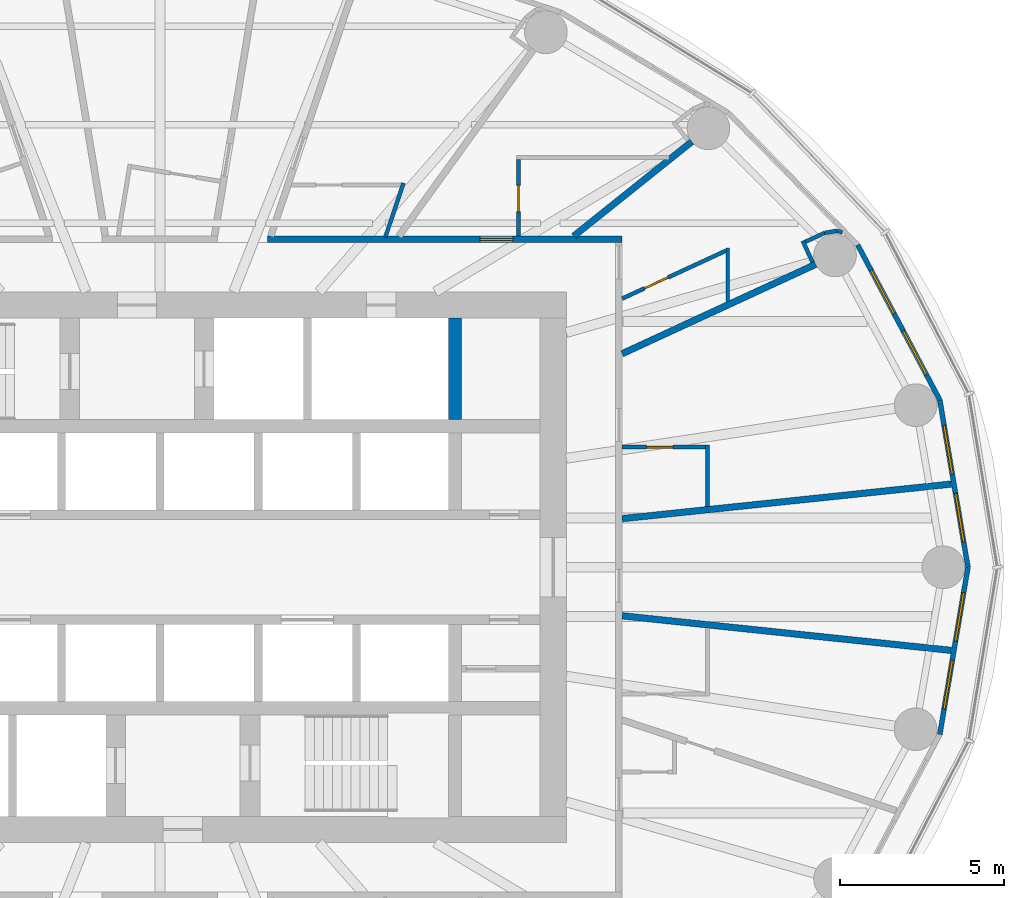
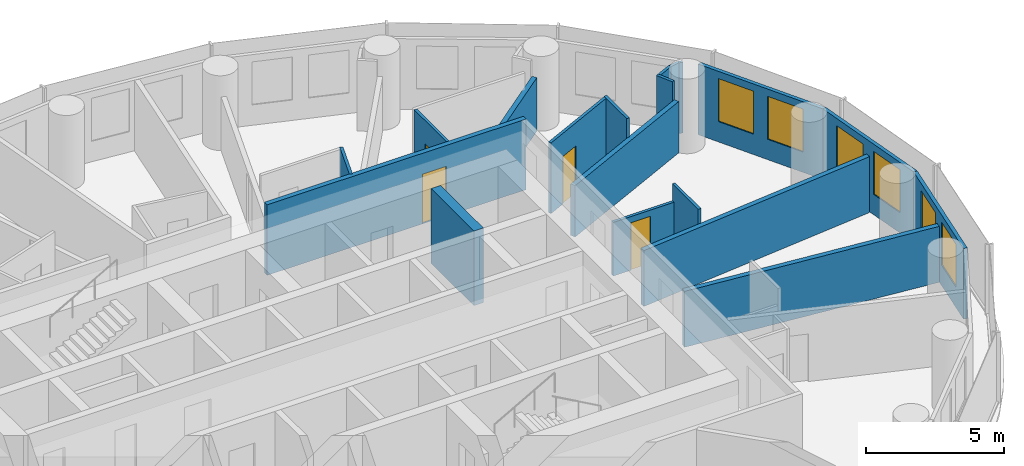
# One storey, part 10 of 13: 19 walls, 6 windows, 4 doors, 10 openings.
"""IFC4 building model written with IfcOpenShell, lengths in metres."""

import ifcopenshell
import ifcopenshell.guid

model = None  # the IFC model being written
_history = None  # IfcOwnerHistory: only IFC2X3 demands one
_inside = {}  # id of a spatial element -> (the spatial element, [elements in it])
_under = {}  # id of a project, library or spatial element -> (it, [spatial elements below it])
_declared = {}  # id of a project -> (the project, [libraries it declares])
_typed = {}  # id of a type object -> (the type object, [elements of that type])
_made_of = {}  # id of a material, layer set ... -> (it, [elements and type objects made of it])


def new_model(schema):
    """Start an empty IFC model of exactly this schema.

    Asked for "IFC4X3", IfcOpenShell would pick the latest addendum, in which some entities
    have other attributes; the version numbers below select the first issue.
    IFC2X3 requires an IfcOwnerHistory on every rooted entity: one is made here for all.
    """
    global model, _history
    if schema == "IFC4X3":
        model = ifcopenshell.file(schema_version=(4, 3, 0, 0))
    else:
        model = ifcopenshell.file(schema=schema)
    _inside.clear()
    _under.clear()
    _declared.clear()
    _typed.clear()
    _made_of.clear()
    _history = None
    if model.schema == "IFC2X3":
        org = make("IfcOrganization", Name="unknown")
        user = make(
            "IfcPersonAndOrganization",
            ThePerson=make("IfcPerson", FamilyName="unknown"),
            TheOrganization=org,
        )
        app = make(
            "IfcApplication",
            ApplicationDeveloper=org,
            Version="unknown",
            ApplicationFullName="unknown",
            ApplicationIdentifier="unknown",
        )
        _history = make(
            "IfcOwnerHistory",
            OwningUser=user,
            OwningApplication=app,
            ChangeAction="ADDED",
            CreationDate=0,
        )
    return model


def make(cls, **values):
    """One entity of the class cls with the attributes given. An attribute that is None is left unset."""
    return model.create_entity(
        cls, **{name: value for name, value in values.items() if value is not None}
    )


def rooted(cls, **values):
    """An entity with a GlobalId (a new one), such as an element, a storey or a relation."""
    return make(cls, GlobalId=ifcopenshell.guid.new(), OwnerHistory=_history, **values)


def si_unit(unit_type, name, prefix=None):
    """IfcSIUnit, for example si_unit("LENGTHUNIT", "METRE", prefix="MILLI")."""
    return make("IfcSIUnit", UnitType=unit_type, Prefix=prefix, Name=name)


def assignment(units):
    """IfcUnitAssignment: the units of a project."""
    return None if units is None else make("IfcUnitAssignment", Units=units)


def point(xyz):
    """IfcCartesianPoint."""
    return None if xyz is None else make("IfcCartesianPoint", Coordinates=xyz)


def direction(xyz):
    """IfcDirection."""
    return None if xyz is None else make("IfcDirection", DirectionRatios=xyz)


def frame(location, z_axis=None, x_axis=None):
    """IfcAxis2Placement3D, a coordinate frame: its origin and axes. An axis left out is left unset."""
    return make(
        "IfcAxis2Placement3D",
        Location=point(location),
        Axis=direction(z_axis),
        RefDirection=direction(x_axis),
    )


def frame_2d(location, x_axis=None):
    """IfcAxis2Placement2D, a coordinate frame in the plane: its origin and x axis."""
    return make(
        "IfcAxis2Placement2D", Location=point(location), RefDirection=direction(x_axis)
    )


def origin():
    """The frame at (0, 0, 0) with its axes left unset."""
    return frame((0.0, 0.0, 0.0))


def place(relative_to, where):
    """IfcLocalPlacement: puts the frame where relative to a parent placement (None: the world)."""
    return make(
        "IfcLocalPlacement", PlacementRelTo=relative_to, RelativePlacement=where
    )


def context(
    kind, dimensions, precision=None, world=None, true_north=None, identifier=None
):
    """IfcGeometricRepresentationContext, for example the 3D "Model" context."""
    return make(
        "IfcGeometricRepresentationContext",
        ContextIdentifier=identifier,
        ContextType=kind,
        CoordinateSpaceDimension=dimensions,
        Precision=precision,
        WorldCoordinateSystem=world,
        TrueNorth=true_north,
    )


def subcontext(parent, identifier, kind, view, scale=None):
    """IfcGeometricRepresentationSubContext, for example "Body" below "Model"."""
    return make(
        "IfcGeometricRepresentationSubContext",
        ContextIdentifier=identifier,
        ContextType=kind,
        ParentContext=parent,
        TargetScale=scale,
        TargetView=view,
    )


def project(units=None, contexts=None):
    """IfcProject with its units and contexts."""
    return rooted(
        "IfcProject",
        Name="project",
        RepresentationContexts=contexts,
        UnitsInContext=assignment(units),
    )


def spatial(cls, under=None, at=None, **own):
    """A site, building, storey or space (cls), placed at a placement, below another one or the project."""
    s = rooted(cls, ObjectPlacement=at, **own)
    if under is not None:
        _under.setdefault(under.id(), (under, []))[1].append(s)
    return s


def profile(cls, at=None, kind="AREA", **sizes):
    """A parametric profile (cls). Its sizes go by their IFC names, for example OverallWidth=200.0."""
    return make(cls, ProfileType=kind, Position=at, **sizes)


def rectangle(**sizes):
    """IfcRectangleProfileDef."""
    return profile("IfcRectangleProfileDef", **sizes)


def extrude(swept, where, along, depth):
    """IfcExtrudedAreaSolid: the profile swept, set in the frame where, extruded along a direction by depth."""
    return make(
        "IfcExtrudedAreaSolid",
        SweptArea=swept,
        Position=where,
        ExtrudedDirection=direction(along),
        Depth=depth,
    )


def shape(context_of_items, identifier, shape_type, items):
    """IfcShapeRepresentation: the items that make up one representation, for example the "Body"."""
    return make(
        "IfcShapeRepresentation",
        ContextOfItems=context_of_items,
        RepresentationIdentifier=identifier,
        RepresentationType=shape_type,
        Items=items,
    )


def material(Name=None, Category=None):
    """IfcMaterial."""
    return make("IfcMaterial", Name=Name, Category=Category)


def layer(
    of_material, thickness, ventilated=None, Name=None, Category=None, Priority=None
):
    """IfcMaterialLayer: one layer of a wall or slab, of a material (None: an air gap)."""
    return make(
        "IfcMaterialLayer",
        Material=of_material,
        LayerThickness=thickness,
        IsVentilated=ventilated,
        Name=Name,
        Category=Category,
        Priority=Priority,
    )


def layer_set(layers, Name=None):
    """IfcMaterialLayerSet."""
    return make("IfcMaterialLayerSet", MaterialLayers=layers, LayerSetName=Name)


def made_of(thing, what):
    """Note that an element or type object is made of a material, layer set ...; save() writes the relation."""
    if what is not None:
        _made_of.setdefault(what.id(), (what, []))[1].append(thing)
    return thing


def type_object(cls, material=None, **own):
    """A type object (cls), such as IfcWallType, which elements share."""
    return made_of(rooted(cls, **own), material)


def element(
    cls,
    number,
    at=None,
    inside=None,
    cuts=None,
    type_object=None,
    material=None,
    context=None,
    identifier="Body",
    shape_type=None,
    held_by="IfcProductDefinitionShape",
    body=None,
    shapes=None,
    **own,
):
    """One element of the class cls, such as IfcWall. Its Tag is "e" and its number.

    at: its placement. inside: the storey or other place that contains it. cuts: it is an
    opening in that element (IfcRelVoidsElement). A single representation is given by context,
    identifier, shape_type and body (its items); several are given by shapes. held_by: the class
    of the entity that holds the representations. save() writes the other relations.
    """
    e = rooted(cls, Tag="e%d" % number, ObjectPlacement=at, **own)
    if body is not None:
        shapes = [shape(context, identifier, shape_type, body)]
    if shapes is not None:
        e.Representation = make(held_by, Representations=shapes)
    if inside is not None:
        _inside.setdefault(inside.id(), (inside, []))[1].append(e)
    if cuts is not None:
        rooted(
            "IfcRelVoidsElement", RelatingBuildingElement=cuts, RelatedOpeningElement=e
        )
    if type_object is not None:
        _typed.setdefault(type_object.id(), (type_object, []))[1].append(e)
    return made_of(e, material)


def fill(opening, filler):
    """IfcRelFillsElement: the door or window that sits in an opening."""
    return rooted(
        "IfcRelFillsElement",
        RelatingOpeningElement=opening,
        RelatedBuildingElement=filler,
    )


def aggregate(whole, parts):
    """IfcRelAggregates: a whole, such as a stair, and the parts it consists of."""
    return rooted("IfcRelAggregates", RelatingObject=whole, RelatedObjects=parts)


def save(model, path):
    """Write the relations noted so far, then the file.

    IfcRelAggregates (storeys below a building ...), IfcRelContainedInSpatialStructure (elements
    in a storey), IfcRelDefinesByType, IfcRelAssociatesMaterial and IfcRelDeclares: one each for
    every whole, place, type object, material and project.
    """
    for whole, parts in _under.values():
        aggregate(whole, parts)
    for where, things in _inside.values():
        rooted(
            "IfcRelContainedInSpatialStructure",
            RelatedElements=things,
            RelatingStructure=where,
        )
    for kind, things in _typed.values():
        rooted("IfcRelDefinesByType", RelatedObjects=things, RelatingType=kind)
    for what, things in _made_of.values():
        rooted("IfcRelAssociatesMaterial", RelatedObjects=things, RelatingMaterial=what)
    for by, libraries in _declared.values():
        rooted("IfcRelDeclares", RelatingContext=by, RelatedDefinitions=libraries)
    model.write(path)


model = new_model("IFC4")

# Units and contexts
model_context = context("Model", 3, precision=1e-05, world=origin(), true_north=direction((0.0, 1.0)))
body_context = subcontext(model_context, "Body", "Model", "MODEL_VIEW")
ifc_project = project(units=[si_unit("LENGTHUNIT", "METRE"), si_unit("AREAUNIT", "SQUARE_METRE"), si_unit("VOLUMEUNIT", "CUBIC_METRE"), si_unit("PLANEANGLEUNIT", "RADIAN"), si_unit("MASSUNIT", "GRAM", prefix="KILO")], contexts=[model_context])

# Site, building, storey
site_placement = place(None, origin())
site = spatial("IfcSite", under=ifc_project, at=site_placement, CompositionType="ELEMENT")
building_placement = place(site_placement, origin())
building = spatial("IfcBuilding", under=site, at=building_placement, Name="Hankou Lantern Tower", CompositionType="ELEMENT")
storey_placement = place(building_placement, frame((0.0, 0.0, 122.10009765625)))
storey = spatial("IfcBuildingStorey", under=building, at=storey_placement, Name="L31", CompositionType="ELEMENT", Elevation=122.10009765625)

# Wall
ifc_material_1 = material(Name="Concrete C60", Category="concrete")
ifc_layer_1 = layer(ifc_material_1, 0.39990234375)
ifc_layer_set_1 = layer_set([ifc_layer_1], Name="Concrete C60")
wall_type_1 = type_object("IfcWallType", Name="CW4 CORE CROSS WALL 400", PredefinedType="SHEAR", material=ifc_layer_set_1)
wall_1_placement = place(storey_placement, frame((9.0, 4.5, 0.0), z_axis=(0.0, 0.0, 1.0), x_axis=(0.0, 1.0, 0.0)))
element("IfcWall", 1, at=wall_1_placement, inside=storey, type_object=wall_type_1, Name="Core strip wall L31", PredefinedType="SHEAR", context=body_context, shape_type="SweptSolid", body=[
    extrude(rectangle(XDim=3.10009765625, YDim=0.39990234375, at=frame_2d((1.550048828125, 0.0))), origin(), (0.0, 0.0, 1.0), 3.2998046875),
])

# Wall, openings, windows
ifc_material_2 = material(Name="Aluminium spandrel panel on steel studs", Category="steel")
ifc_layer_2 = layer(ifc_material_2, 0.14990234375)
ifc_layer_set_2 = layer_set([ifc_layer_2], Name="Aluminium spandrel panel on steel studs")
wall_type_2 = type_object("IfcWallType", Name="EW1 INNER SKIN WALL 150", PredefinedType="ELEMENTEDWALL", material=ifc_layer_set_2)
wall_2_placement = place(storey_placement, frame((24.64990234375, 0.0, 0.0), z_axis=(0.0, 0.0, 1.0), x_axis=(-0.165883894218, 0.986145290329, 0.0)))
wall_2 = element("IfcWall", 2, at=wall_2_placement, inside=storey, type_object=wall_type_2, Name="Inner skin R01-R02 L31", PredefinedType="ELEMENTEDWALL", context=body_context, shape_type="SweptSolid", body=[
    extrude(rectangle(XDim=5.171630859375, YDim=0.14990234375, at=frame_2d((2.5859375, 0.0))), origin(), (0.0, 0.0, 1.0), 3.119873046875),
])
opening_1_placement = place(wall_2_placement, frame((0.785888671875, 0.0, 0.89990234375)))
opening_1 = element("IfcOpeningElement", 3, at=opening_1_placement, cuts=wall_2, Name="Opening W2", PredefinedType="OPENING", context=body_context, shape_type="SweptSolid", body=[
    extrude(rectangle(XDim=1.5, YDim=1.89990234375, at=frame_2d((0.75, 0.949951171875))), frame((0.0, 0.0849609375, 0.0), z_axis=(0.0, -1.0, 0.0), x_axis=(1.0, 0.0, 0.0)), (0.0, 0.0, 1.0), 0.169921875),
])
opening_2_placement = place(wall_2_placement, frame((2.8857421875, 0.0, 0.89990234375)))
opening_2 = element("IfcOpeningElement", 4, at=opening_2_placement, cuts=wall_2, Name="Opening W2", PredefinedType="OPENING", context=body_context, shape_type="SweptSolid", body=[
    extrude(rectangle(XDim=1.5, YDim=1.89990234375, at=frame_2d((0.75, 0.949951171875))), frame((0.0, 0.0849609375, 0.0), z_axis=(0.0, -1.0, 0.0), x_axis=(1.0, 0.0, 0.0)), (0.0, 0.0, 1.0), 0.169921875),
])
ifc_material_3 = material(Name="Aluminium framed double glazed window", Category="aluminium")
window_type = type_object("IfcWindowType", Name="W2 GUEST ROOM WINDOW 1500X1900", PartitioningType="DOUBLE_PANEL_VERTICAL", PredefinedType="WINDOW", material=ifc_material_3)
window_1_placement = place(opening_1_placement, origin())
window_1 = element("IfcWindow", 5, at=window_1_placement, inside=storey, type_object=window_type, Name="Window R01.1 L31", OverallHeight=1.89990234375, OverallWidth=1.5, PartitioningType="SINGLE_PANEL", PredefinedType="WINDOW", context=body_context, shape_type="SweptSolid", body=[
    extrude(rectangle(XDim=1.5, YDim=1.89990234375, at=frame_2d((0.75, 0.949951171875))), frame((0.0, 0.030029296875, 0.0), z_axis=(0.0, -1.0, 0.0), x_axis=(1.0, 0.0, 0.0)), (0.0, 0.0, 1.0), 0.06005859375),
])
fill(opening_1, window_1)
window_2_placement = place(opening_2_placement, origin())
window_2 = element("IfcWindow", 6, at=window_2_placement, inside=storey, type_object=window_type, Name="Window R01.2 L31", OverallHeight=1.89990234375, OverallWidth=1.5, PartitioningType="SINGLE_PANEL", PredefinedType="WINDOW", context=body_context, shape_type="SweptSolid", body=[
    extrude(rectangle(XDim=1.5, YDim=1.89990234375, at=frame_2d((0.75, 0.949951171875))), frame((0.0, 0.030029296875, 0.0), z_axis=(0.0, -1.0, 0.0), x_axis=(1.0, 0.0, 0.0)), (0.0, 0.0, 1.0), 0.06005859375),
])
fill(opening_2, window_2)

wall_3_placement = place(storey_placement, frame((23.7919921875, 5.10009765625, 0.0), z_axis=(0.0, 0.0, 1.0), x_axis=(-0.467814388454, 0.883826735257, 0.0)))
wall_3 = element("IfcWall", 7, at=wall_3_placement, inside=storey, type_object=wall_type_2, Name="Inner skin R02-R03 L31", PredefinedType="ELEMENTEDWALL", context=body_context, shape_type="SweptSolid", body=[
    extrude(rectangle(XDim=5.35400390625, YDim=0.14990234375, at=frame_2d((2.677001953125, 0.0))), origin(), (0.0, 0.0, 1.0), 3.119873046875),
])
opening_3_placement = place(wall_3_placement, frame((0.876953125, 0.0, 0.89990234375)))
opening_3 = element("IfcOpeningElement", 8, at=opening_3_placement, cuts=wall_3, Name="Opening W2", PredefinedType="OPENING", context=body_context, shape_type="SweptSolid", body=[
    extrude(rectangle(XDim=1.5, YDim=1.89990234375, at=frame_2d((0.75, 0.949951171875))), frame((0.0, 0.0849609375, 0.0), z_axis=(0.0, -1.0, 0.0), x_axis=(1.0, 0.0, 0.0)), (0.0, 0.0, 1.0), 0.169921875),
])
opening_4_placement = place(wall_3_placement, frame((2.97705078125, 0.0, 0.89990234375)))
opening_4 = element("IfcOpeningElement", 9, at=opening_4_placement, cuts=wall_3, Name="Opening W2", PredefinedType="OPENING", context=body_context, shape_type="SweptSolid", body=[
    extrude(rectangle(XDim=1.5, YDim=1.89990234375, at=frame_2d((0.75, 0.949951171875))), frame((0.0, 0.0849609375, 0.0), z_axis=(0.0, -1.0, 0.0), x_axis=(1.0, 0.0, 0.0)), (0.0, 0.0, 1.0), 0.169921875),
])
window_3_placement = place(opening_3_placement, origin())
window_3 = element("IfcWindow", 10, at=window_3_placement, inside=storey, type_object=window_type, Name="Window R02.1 L31", OverallHeight=1.89990234375, OverallWidth=1.5, PartitioningType="SINGLE_PANEL", PredefinedType="WINDOW", context=body_context, shape_type="SweptSolid", body=[
    extrude(rectangle(XDim=1.5, YDim=1.89990234375, at=frame_2d((0.75, 0.949951171875))), frame((0.0, 0.030029296875, 0.0), z_axis=(0.0, -1.0, 0.0), x_axis=(1.0, 0.0, 0.0)), (0.0, 0.0, 1.0), 0.06005859375),
])
fill(opening_3, window_3)
window_4_placement = place(opening_4_placement, origin())
window_4 = element("IfcWindow", 11, at=window_4_placement, inside=storey, type_object=window_type, Name="Window R02.2 L31", OverallHeight=1.89990234375, OverallWidth=1.5, PartitioningType="SINGLE_PANEL", PredefinedType="WINDOW", context=body_context, shape_type="SweptSolid", body=[
    extrude(rectangle(XDim=1.5, YDim=1.89990234375, at=frame_2d((0.75, 0.949951171875))), frame((0.0, 0.030029296875, 0.0), z_axis=(0.0, -1.0, 0.0), x_axis=(1.0, 0.0, 0.0)), (0.0, 0.0, 1.0), 0.06005859375),
])
fill(opening_4, window_4)

wall_4_placement = place(storey_placement, frame((23.7919921875, -5.10009765625, 0.0), z_axis=(0.0, 0.0, 1.0), x_axis=(0.165883894218, 0.986145290329, 0.0)))
wall_4 = element("IfcWall", 12, at=wall_4_placement, inside=storey, type_object=wall_type_2, Name="Inner skin R24-R01 L31", PredefinedType="ELEMENTEDWALL", context=body_context, shape_type="SweptSolid", body=[
    extrude(rectangle(XDim=5.171630859375, YDim=0.14990234375, at=frame_2d((2.5859375, 0.0))), origin(), (0.0, 0.0, 1.0), 3.119873046875),
])
opening_5_placement = place(wall_4_placement, frame((0.785888671875, 0.0, 0.89990234375)))
opening_5 = element("IfcOpeningElement", 13, at=opening_5_placement, cuts=wall_4, Name="Opening W2", PredefinedType="OPENING", context=body_context, shape_type="SweptSolid", body=[
    extrude(rectangle(XDim=1.5, YDim=1.89990234375, at=frame_2d((0.75, 0.949951171875))), frame((0.0, 0.0849609375, 0.0), z_axis=(0.0, -1.0, 0.0), x_axis=(1.0, 0.0, 0.0)), (0.0, 0.0, 1.0), 0.169921875),
])
opening_6_placement = place(wall_4_placement, frame((2.8857421875, 0.0, 0.89990234375)))
opening_6 = element("IfcOpeningElement", 14, at=opening_6_placement, cuts=wall_4, Name="Opening W2", PredefinedType="OPENING", context=body_context, shape_type="SweptSolid", body=[
    extrude(rectangle(XDim=1.5, YDim=1.89990234375, at=frame_2d((0.75, 0.949951171875))), frame((0.0, 0.0849609375, 0.0), z_axis=(0.0, -1.0, 0.0), x_axis=(1.0, 0.0, 0.0)), (0.0, 0.0, 1.0), 0.169921875),
])
window_5_placement = place(opening_5_placement, origin())
window_5 = element("IfcWindow", 15, at=window_5_placement, inside=storey, type_object=window_type, Name="Window R24.1 L31", OverallHeight=1.89990234375, OverallWidth=1.5, PartitioningType="SINGLE_PANEL", PredefinedType="WINDOW", context=body_context, shape_type="SweptSolid", body=[
    extrude(rectangle(XDim=1.5, YDim=1.89990234375, at=frame_2d((0.75, 0.949951171875))), frame((0.0, 0.030029296875, 0.0), z_axis=(0.0, -1.0, 0.0), x_axis=(1.0, 0.0, 0.0)), (0.0, 0.0, 1.0), 0.06005859375),
])
fill(opening_5, window_5)
window_6_placement = place(opening_6_placement, origin())
window_6 = element("IfcWindow", 16, at=window_6_placement, inside=storey, type_object=window_type, Name="Window R24.2 L31", OverallHeight=1.89990234375, OverallWidth=1.5, PartitioningType="SINGLE_PANEL", PredefinedType="WINDOW", context=body_context, shape_type="SweptSolid", body=[
    extrude(rectangle(XDim=1.5, YDim=1.89990234375, at=frame_2d((0.75, 0.949951171875))), frame((0.0, 0.030029296875, 0.0), z_axis=(0.0, -1.0, 0.0), x_axis=(1.0, 0.0, 0.0)), (0.0, 0.0, 1.0), 0.06005859375),
])
fill(opening_6, window_6)

# Walls
ifc_material_4 = material(Name="Masonry lightweight concrete block", Category="masonry")
ifc_layer_3 = layer(ifc_material_4, 0.199951171875)
ifc_layer_set_3 = layer_set([ifc_layer_3], Name="Masonry lightweight concrete block")
wall_type_3 = type_object("IfcWallType", Name="IW1 GUEST ROOM PARTY WALL 200", PredefinedType="PARTITIONING", material=ifc_layer_set_3)
wall_5_placement = place(storey_placement, frame((14.10009765625, 6.512451171875, 0.0), z_axis=(0.0, 0.0, 1.0), x_axis=(0.907833019998, 0.419331858797, 0.0)))
element("IfcWall", 17, at=wall_5_placement, inside=storey, type_object=wall_type_3, Name="Party wall R03", PredefinedType="PARTITIONING", context=body_context, shape_type="SweptSolid", body=[
    extrude(rectangle(XDim=6.505126953125, YDim=0.199951171875, at=frame_2d((3.25244140625, 0.0))), origin(), (0.0, 0.0, 1.0), 2.27001953125),
])
wall_6_placement = place(storey_placement, frame((12.625, 10.10009765625, 0.0), z_axis=(0.0, 0.0, 1.0), x_axis=(0.780863644897, 0.624701503182, 0.0)))
element("IfcWall", 18, at=wall_6_placement, inside=storey, type_object=wall_type_3, Name="Party wall R04", PredefinedType="PARTITIONING", context=body_context, shape_type="SweptSolid", body=[
    extrude(rectangle(XDim=4.612060546875, YDim=0.199951171875, at=frame_2d((2.30615234375, 0.0))), origin(), (0.0, 0.0, 1.0), 2.369873046875),
])

# Wall, opening, door
ifc_material_5 = material(Name="Masonry lightweight concrete block", Category="masonry")
ifc_layer_4 = layer(ifc_material_5, 0.199951171875)
ifc_layer_set_4 = layer_set([ifc_layer_4], Name="Masonry lightweight concrete block")
wall_type_4 = type_object("IfcWallType", Name="IW2 CORRIDOR WALL 200", PredefinedType="PARTITIONING", material=ifc_layer_set_4)
wall_7_placement = place(storey_placement, frame((3.282958984375, 10.0, 0.0), z_axis=(0.0, 0.0, 1.0), x_axis=(1.0, 0.0, 0.0)))
wall_7 = element("IfcWall", 19, at=wall_7_placement, inside=storey, type_object=wall_type_4, Name="Corridor wall north", PredefinedType="PARTITIONING", context=body_context, shape_type="SweptSolid", body=[
    extrude(rectangle(XDim=10.817138671875, YDim=0.199951171875, at=frame_2d((5.40869140625, 0.0))), origin(), (0.0, 0.0, 1.0), 3.119873046875),
])
opening_7_placement = place(wall_7_placement, frame((6.482177734375, 0.0, 0.0)))
opening_7 = element("IfcOpeningElement", 20, at=opening_7_placement, cuts=wall_7, Name="Opening D1", PredefinedType="OPENING", context=body_context, shape_type="SweptSolid", body=[
    extrude(rectangle(XDim=1.0, YDim=2.199951171875, at=frame_2d((0.5, 1.10009765625))), frame((0.0, 0.10986328125, 0.0), z_axis=(0.0, -1.0, 0.0), x_axis=(1.0, 0.0, 0.0)), (0.0, 0.0, 1.0), 0.219970703125),
])
ifc_material_6 = material(Name="Steel door leaf", Category="steel")
door_type_1 = type_object("IfcDoorType", Name="D1 GUEST ROOM DOOR 1000X2200", OperationType="SINGLE_SWING_LEFT", PredefinedType="DOOR", material=ifc_material_6)
door_1_placement = place(opening_7_placement, origin())
door_1 = element("IfcDoor", 21, at=door_1_placement, inside=storey, type_object=door_type_1, Name="Guest room door 3119", OperationType="SINGLE_SWING_RIGHT", OverallHeight=2.199951171875, OverallWidth=1.0, PredefinedType="DOOR", context=body_context, shape_type="SweptSolid", body=[
    extrude(rectangle(XDim=1.0, YDim=2.199951171875, at=frame_2d((0.5, 1.10009765625))), frame((0.0, 0.02490234375, 0.0), z_axis=(0.0, -1.0, 0.0), x_axis=(1.0, 0.0, 0.0)), (0.0, 0.0, 1.0), 0.050048828125),
])
fill(opening_7, door_1)

# Wall
ifc_material_7 = material(Name="Masonry lightweight concrete block", Category="masonry")
ifc_layer_5 = layer(ifc_material_7, 0.1201171875)
ifc_layer_set_5 = layer_set([ifc_layer_5], Name="Masonry lightweight concrete block")
wall_type_5 = type_object("IfcWallType", Name="IW3 BATHROOM WALL 120", PredefinedType="PARTITIONING", material=ifc_layer_set_5)
wall_8_placement = place(storey_placement, frame((16.699951171875, 1.85498046875, 0.0), z_axis=(0.0, 0.0, 1.0), x_axis=(0.0, 1.0, 0.0)))
element("IfcWall", 22, at=wall_8_placement, inside=storey, type_object=wall_type_5, Name="Box wall 3117 1", PredefinedType="PARTITIONING", context=body_context, shape_type="SweptSolid", body=[
    extrude(rectangle(XDim=1.86669921875, YDim=0.1201171875, at=frame_2d((0.933349609375, 0.0))), origin(), (0.0, 0.0, 1.0), 3.119873046875),
])

# Wall, opening, door
wall_9_placement = place(storey_placement, frame((14.10009765625, 3.661865234375, 0.0), z_axis=(0.0, 0.0, 1.0), x_axis=(1.0, 0.0, 0.0)))
wall_9 = element("IfcWall", 23, at=wall_9_placement, inside=storey, type_object=wall_type_5, Name="Box wall 3117 1", PredefinedType="PARTITIONING", context=body_context, shape_type="SweptSolid", body=[
    extrude(rectangle(XDim=2.539794921875, YDim=0.1201171875, at=frame_2d((1.27001953125, 0.0))), origin(), (0.0, 0.0, 1.0), 2.369873046875),
])
opening_8_placement = place(wall_9_placement, frame((0.75, 0.0, 0.0)))
opening_8 = element("IfcOpeningElement", 24, at=opening_8_placement, cuts=wall_9, Name="Opening D3", PredefinedType="OPENING", context=body_context, shape_type="SweptSolid", body=[
    extrude(rectangle(XDim=0.800048828125, YDim=2.10009765625, at=frame_2d((0.39990234375, 1.050048828125))), frame((0.0, 0.070068359375, 0.0), z_axis=(0.0, -1.0, 0.0), x_axis=(1.0, 0.0, 0.0)), (0.0, 0.0, 1.0), 0.14013671875),
])
ifc_material_8 = material(Name="Timber door leaf", Category="wood")
door_type_2 = type_object("IfcDoorType", Name="D3 BATHROOM DOOR 800X2100", OperationType="SINGLE_SWING_LEFT", PredefinedType="DOOR", material=ifc_material_8)
door_2_placement = place(opening_8_placement, origin())
door_2 = element("IfcDoor", 25, at=door_2_placement, inside=storey, type_object=door_type_2, Name="En-suite bathroom 3117 door", OperationType="SINGLE_SWING_LEFT", OverallHeight=2.10009765625, OverallWidth=0.800048828125, PredefinedType="DOOR", context=body_context, shape_type="SweptSolid", body=[
    extrude(rectangle(XDim=0.800048828125, YDim=2.10009765625, at=frame_2d((0.39990234375, 1.050048828125))), frame((0.0, 0.02490234375, 0.0), z_axis=(0.0, -1.0, 0.0), x_axis=(1.0, 0.0, 0.0)), (0.0, 0.0, 1.0), 0.050048828125),
])
fill(opening_8, door_2)

# Wall
wall_10_placement = place(storey_placement, frame((17.32275390625, 8.10107421875, 0.0), z_axis=(0.0, 0.0, 1.0), x_axis=(0.0, 1.0, 0.0)))
element("IfcWall", 26, at=wall_10_placement, inside=storey, type_object=wall_type_5, Name="Box wall 3118 1", PredefinedType="PARTITIONING", context=body_context, shape_type="SweptSolid", body=[
    extrude(rectangle(XDim=1.639892578125, YDim=0.1201171875, at=frame_2d((0.81982421875, 0.0))), origin(), (0.0, 0.0, 1.0), 3.119873046875),
])

# Wall, opening, door
wall_11_placement = place(storey_placement, frame((14.10009765625, 8.192626953125, 0.0), z_axis=(0.0, 0.0, 1.0), x_axis=(0.907836493557, 0.419324338628, 0.0)))
wall_11 = element("IfcWall", 27, at=wall_11_placement, inside=storey, type_object=wall_type_5, Name="Box wall 3118 1", PredefinedType="PARTITIONING", context=body_context, shape_type="SweptSolid", body=[
    extrude(rectangle(XDim=3.48974609375, YDim=0.1201171875, at=frame_2d((1.744873046875, 0.0))), origin(), (0.0, 0.0, 1.0), 3.119873046875),
])
opening_9_placement = place(wall_11_placement, frame((0.75, 0.0, 0.0)))
opening_9 = element("IfcOpeningElement", 28, at=opening_9_placement, cuts=wall_11, Name="Opening D3", PredefinedType="OPENING", context=body_context, shape_type="SweptSolid", body=[
    extrude(rectangle(XDim=0.800048828125, YDim=2.10009765625, at=frame_2d((0.39990234375, 1.050048828125))), frame((0.0, 0.070068359375, 0.0), z_axis=(0.0, -1.0, 0.0), x_axis=(1.0, 0.0, 0.0)), (0.0, 0.0, 1.0), 0.14013671875),
])
door_3_placement = place(opening_9_placement, origin())
door_3 = element("IfcDoor", 29, at=door_3_placement, inside=storey, type_object=door_type_2, Name="En-suite bathroom 3118 door", OperationType="SINGLE_SWING_LEFT", OverallHeight=2.10009765625, OverallWidth=0.800048828125, PredefinedType="DOOR", context=body_context, shape_type="SweptSolid", body=[
    extrude(rectangle(XDim=0.800048828125, YDim=2.10009765625, at=frame_2d((0.39990234375, 1.050048828125))), frame((0.0, 0.02490234375, 0.0), z_axis=(0.0, -1.0, 0.0), x_axis=(1.0, 0.0, 0.0)), (0.0, 0.0, 1.0), 0.050048828125),
])
fill(opening_9, door_3)

wall_12_placement = place(storey_placement, frame((10.945068359375, 10.10009765625, 0.0), z_axis=(0.0, 0.0, 1.0), x_axis=(0.0, 1.0, 0.0)))
wall_12 = element("IfcWall", 30, at=wall_12_placement, inside=storey, type_object=wall_type_5, Name="Box wall 3119 1", PredefinedType="PARTITIONING", context=body_context, shape_type="SweptSolid", body=[
    extrude(rectangle(XDim=2.33984375, YDim=0.1201171875, at=frame_2d((1.169921875, 0.0))), origin(), (0.0, 0.0, 1.0), 3.119873046875),
])
opening_10_placement = place(wall_12_placement, frame((0.75, 0.0, 0.0)))
opening_10 = element("IfcOpeningElement", 31, at=opening_10_placement, cuts=wall_12, Name="Opening D3", PredefinedType="OPENING", context=body_context, shape_type="SweptSolid", body=[
    extrude(rectangle(XDim=0.800048828125, YDim=2.10009765625, at=frame_2d((0.39990234375, 1.050048828125))), frame((0.0, 0.070068359375, 0.0), z_axis=(0.0, -1.0, 0.0), x_axis=(1.0, 0.0, 0.0)), (0.0, 0.0, 1.0), 0.14013671875),
])
door_4_placement = place(opening_10_placement, origin())
door_4 = element("IfcDoor", 32, at=door_4_placement, inside=storey, type_object=door_type_2, Name="En-suite bathroom 3119 door", OperationType="SINGLE_SWING_LEFT", OverallHeight=2.10009765625, OverallWidth=0.800048828125, PredefinedType="DOOR", context=body_context, shape_type="SweptSolid", body=[
    extrude(rectangle(XDim=0.800048828125, YDim=2.10009765625, at=frame_2d((0.39990234375, 1.050048828125))), frame((0.0, 0.02490234375, 0.0), z_axis=(0.0, -1.0, 0.0), x_axis=(1.0, 0.0, 0.0)), (0.0, 0.0, 1.0), 0.050048828125),
])
fill(opening_10, door_4)

# Walls
wall_13_placement = place(storey_placement, frame((6.877685546875, 10.068359375, 0.0), z_axis=(0.0, 0.0, 1.0), x_axis=(0.317532394508, 0.948247424694, 0.0)))
element("IfcWall", 33, at=wall_13_placement, inside=storey, type_object=wall_type_5, Name="Box wall 3120 1", PredefinedType="PARTITIONING", context=body_context, shape_type="SweptSolid", body=[
    extrude(rectangle(XDim=1.739990234375, YDim=0.1201171875, at=frame_2d((0.8701171875, 0.0))), origin(), (0.0, 0.0, 1.0), 3.119873046875),
])
ifc_material_9 = material(Name="Masonry lightweight concrete block", Category="masonry")
ifc_layer_6 = layer(ifc_material_9, 0.1201171875)
ifc_layer_set_6 = layer_set([ifc_layer_6], Name="Masonry lightweight concrete block")
wall_type_6 = type_object("IfcWallType", Name="IW4 PARTITION 120", PredefinedType="PARTITIONING", material=ifc_layer_set_6)
wall_14_placement = place(storey_placement, frame((19.9091796875, 9.305908203125, 0.0), z_axis=(0.0, 0.0, 1.0), x_axis=(-0.419296148934, 0.90784951368, 0.0)))
element("IfcWall", 34, at=wall_14_placement, inside=storey, type_object=wall_type_6, Name="Column casing R03 return", PredefinedType="PARTITIONING", context=body_context, shape_type="SweptSolid", body=[
    extrude(rectangle(XDim=0.715576171875, YDim=0.1201171875, at=frame_2d((0.35791015625, 0.0))), origin(), (0.0, 0.0, 1.0), 3.119873046875),
])
wall_15_placement = place(storey_placement, frame((19.688720703125, 9.92626953125, 0.0), z_axis=(0.0, 0.0, 1.0), x_axis=(0.907893409272, 0.419201094227, 0.0)))
element("IfcWall", 35, at=wall_15_placement, inside=storey, type_object=wall_type_6, Name="Column casing R03", PredefinedType="PARTITIONING", context=body_context, shape_type="SweptSolid", body=[
    extrude(rectangle(XDim=0.64990234375, YDim=0.1201171875, at=frame_2d((0.324951171875, 0.0))), origin(), (0.0, 0.0, 1.0), 3.119873046875),
])
wall_16_placement = place(storey_placement, frame((20.27880859375, 10.19873046875, 0.0), z_axis=(0.0, 0.0, 1.0), x_axis=(0.985380740712, 0.170366651181, 0.0)))
element("IfcWall", 36, at=wall_16_placement, inside=storey, type_object=wall_type_6, Name="Column casing R03", PredefinedType="PARTITIONING", context=body_context, shape_type="SweptSolid", body=[
    extrude(rectangle(XDim=0.39111328125, YDim=0.1201171875, at=frame_2d((0.195556640625, 0.0))), origin(), (0.0, 0.0, 1.0), 3.119873046875),
])
wall_17_placement = place(storey_placement, frame((20.664306640625, 10.265380859375, 0.0), z_axis=(0.0, 0.0, 1.0), x_axis=(0.938058651481, -0.346476501918, 0.0)))
element("IfcWall", 37, at=wall_17_placement, inside=storey, type_object=wall_type_6, Name="Column casing R03", PredefinedType="PARTITIONING", context=body_context, shape_type="SweptSolid", body=[
    extrude(rectangle(XDim=0.161376953125, YDim=0.1201171875, at=frame_2d((0.08056640625, 0.0))), origin(), (0.0, 0.0, 1.0), 3.119873046875),
])
ifc_material_10 = material(Name="Masonry lightweight concrete block", Category="masonry")
ifc_layer_7 = layer(ifc_material_10, 0.199951171875)
ifc_layer_set_7 = layer_set([ifc_layer_7], Name="Masonry lightweight concrete block")
wall_type_7 = type_object("IfcWallType", Name="IW8 PARTITION 200", PredefinedType="PARTITIONING", material=ifc_layer_set_7)
for number, where, z_axis, x_axis, name in (
    (38, (14.10009765625, 1.481689453125, 0.0), (0.0, 0.0, 1.0), (0.994523202615, 0.104516024894, 0.0), "Partition R01-R02"),
    (39, (14.10009765625, -1.481689453125, 0.0), (0.0, 0.0, 1.0), (0.994523202615, -0.104516024894, 0.0), "Partition R24-R01"),
):
    element("IfcWall", number, at=place(storey_placement, frame(where, z_axis=z_axis, x_axis=x_axis)), inside=storey, type_object=wall_type_7, Name=name, PredefinedType="PARTITIONING", context=body_context, shape_type="SweptSolid", body=[
        extrude(rectangle(XDim=10.091064453125, YDim=0.199951171875, at=frame_2d((5.04541015625, 0.0))), origin(), (0.0, 0.0, 1.0), 2.469970703125),
    ])

save(model, "model.ifc")
